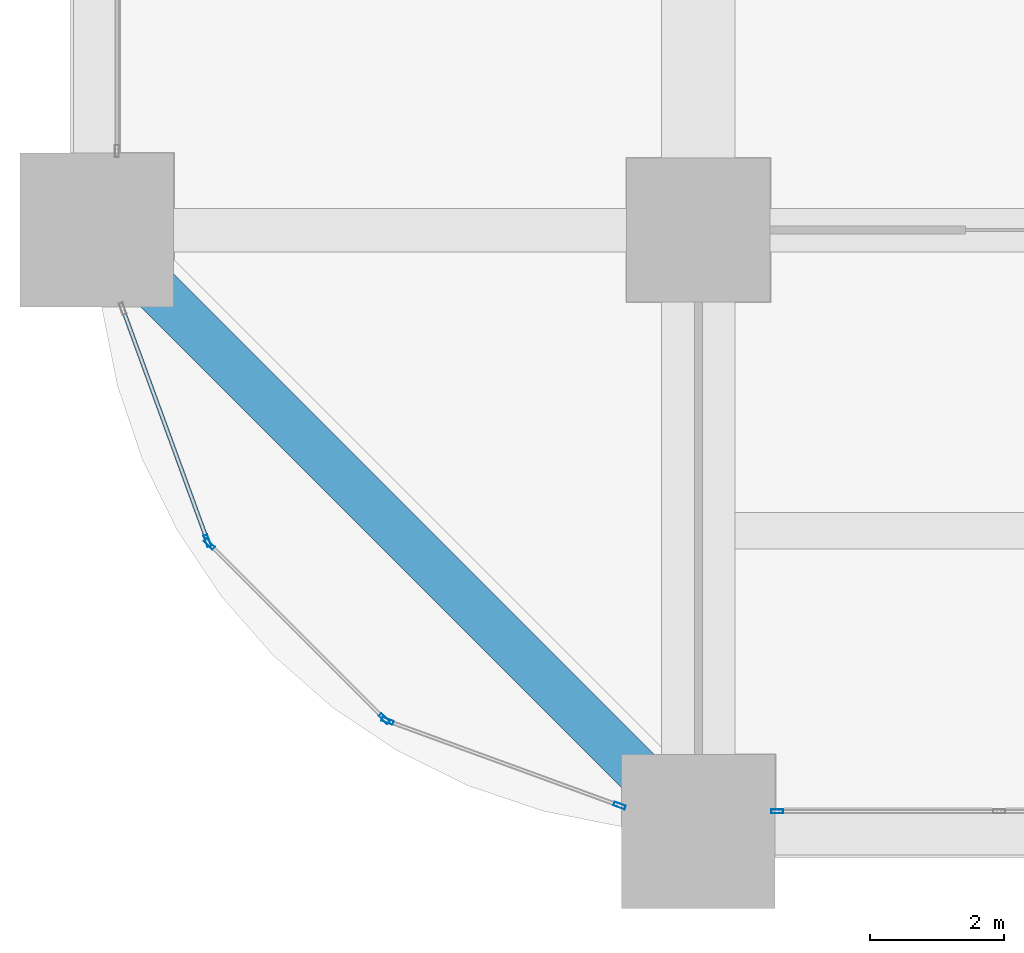
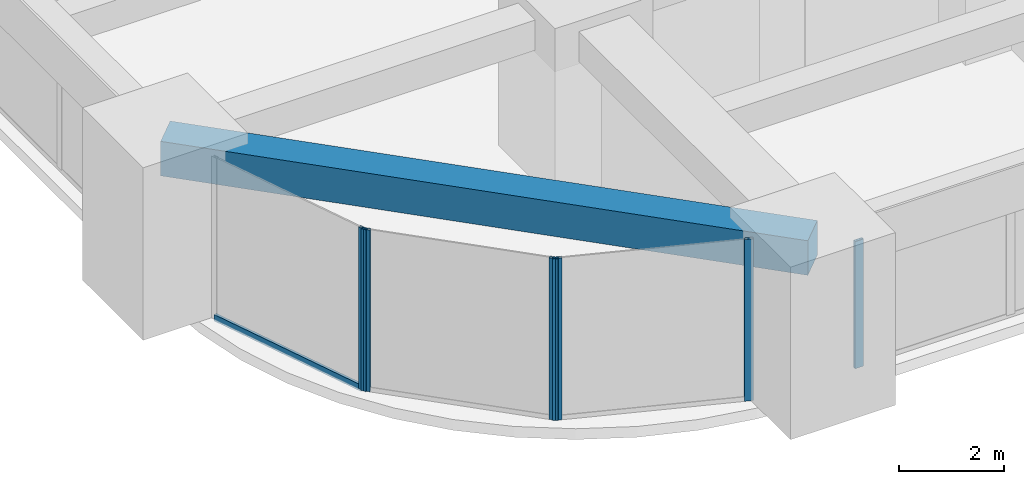
# One storey, part 2 of 44: 7 members, 1 beam, 4 elements without a shape of their own.
"""IFC4 building model written with IfcOpenShell, lengths in metres."""

from ifc_helpers import new_model, si_unit, direction, frame, origin, origin_2d, place, context, subcontext, project, spatial, rectangle, hollow_rectangle, extrude, material, material_profile, profile_set, type_object, element, aggregate, save


model = new_model("IFC4")

# Units and contexts
model_context = context("Model", 3, precision=1e-05, world=origin(), true_north=direction((0.0, 1.0)))
body_context = subcontext(model_context, "Body", "Model", "MODEL_VIEW")
ifc_project = project(units=[si_unit("LENGTHUNIT", "METRE"), si_unit("AREAUNIT", "SQUARE_METRE"), si_unit("VOLUMEUNIT", "CUBIC_METRE"), si_unit("PLANEANGLEUNIT", "RADIAN"), si_unit("MASSUNIT", "GRAM", prefix="KILO")], contexts=[model_context])

# Site, building, storey
site_placement = place(None, origin())
site = spatial("IfcSite", under=ifc_project, at=site_placement, CompositionType="ELEMENT")
building_placement = place(site_placement, origin())
building = spatial("IfcBuilding", under=site, at=building_placement, Name="Zorevar Civic Tower", CompositionType="ELEMENT")
storey_placement = place(building_placement, frame((0.0, 0.0, 55.800048828125)))
storey = spatial("IfcBuildingStorey", under=building, at=storey_placement, Name="L13", CompositionType="ELEMENT", Elevation=55.800048828125)

# Curtain wall, member
ifc_material_1 = material(Name="Dark grey solar-control glass in black aluminium frame", Category="aluminium")
curtain_wall_type = type_object("IfcCurtainWallType", Name="Curtain wall CW2 low zone", PredefinedType="NOTDEFINED", material=ifc_material_1)
curtain_wall_1_placement = place(storey_placement, origin())
curtain_wall_1 = element("IfcCurtainWall", 1, at=curtain_wall_1_placement, inside=storey, type_object=curtain_wall_type, Name="CW2 L13", PredefinedType="NOTDEFINED")
ifc_material_2 = material(Name="Aluminium, black anodised", Category="aluminium")
ifc_material_profile_1 = material_profile(ifc_material_2, hollow_rectangle(XDim=0.06005859375, YDim=0.179931640625, WallThickness=0.00390625, at=origin_2d()), Name="AL 180x60x4")
ifc_profile_set_1 = profile_set([ifc_material_profile_1], Name="Aluminium, black anodised")
member_type_1 = type_object("IfcMemberType", Name="CW2 mullion AL 180x60x4", PredefinedType="MULLION", material=ifc_profile_set_1)
member_1_placement = place(storey_placement, frame((10.179931640625, 0.300048828125, 0.0), z_axis=(0.0, 0.0, 1.0), x_axis=(0.0, 1.0, 0.0)))
member_1 = element("IfcMember", 2, at=member_1_placement, type_object=member_type_1, Name="CW2 mullion 1", PredefinedType="MULLION", context=body_context, shape_type="SweptSolid", body=[
    extrude(hollow_rectangle(XDim=0.06005859375, YDim=0.179931640625, WallThickness=0.00390625, at=origin_2d()), origin(), (0.0, 0.0, 1.0), 2.949951171875),
])
aggregate(curtain_wall_1, [member_1])

curtain_wall_2_placement = place(storey_placement, origin())
curtain_wall_2 = element("IfcCurtainWall", 3, at=curtain_wall_2_placement, inside=storey, type_object=curtain_wall_type, Name="CW2 L13", PredefinedType="NOTDEFINED")
member_2_placement = place(storey_placement, frame((1.65478515625, 4.349609375, 0.0), z_axis=(0.0, 0.0, 1.0), x_axis=(0.939313345732, 0.343060400701, 0.0)))
member_2 = element("IfcMember", 4, at=member_2_placement, type_object=member_type_1, Name="CW2 mullion 2", PredefinedType="MULLION", context=body_context, shape_type="SweptSolid", body=[
    extrude(hollow_rectangle(XDim=0.06005859375, YDim=0.179931640625, WallThickness=0.00390625, at=origin_2d()), origin(), (0.0, 0.0, 1.0), 3.75),
])

# Curtain wall, members
curtain_wall_3_placement = place(storey_placement, origin())
curtain_wall_3 = element("IfcCurtainWall", 5, at=curtain_wall_3_placement, inside=storey, type_object=curtain_wall_type, Name="CW2 L13", PredefinedType="NOTDEFINED")
member_3_placement = place(storey_placement, frame((1.686279296875, 4.30029296875, 0.0), z_axis=(0.0, 0.0, 1.0), x_axis=(0.707106781187, 0.707106781187, 0.0)))
member_3 = element("IfcMember", 6, at=member_3_placement, type_object=member_type_1, Name="CW2 mullion 1", PredefinedType="MULLION", context=body_context, shape_type="SweptSolid", body=[
    extrude(hollow_rectangle(XDim=0.06005859375, YDim=0.179931640625, WallThickness=0.00390625, at=origin_2d()), origin(), (0.0, 0.0, 1.0), 3.75),
])
member_4_placement = place(storey_placement, frame((4.30029296875, 1.686279296875, 0.0), z_axis=(0.0, 0.0, 1.0), x_axis=(0.707106781187, 0.707106781187, 0.0)))
member_4 = element("IfcMember", 7, at=member_4_placement, type_object=member_type_1, Name="CW2 mullion 2", PredefinedType="MULLION", context=body_context, shape_type="SweptSolid", body=[
    extrude(hollow_rectangle(XDim=0.06005859375, YDim=0.179931640625, WallThickness=0.00390625, at=origin_2d()), origin(), (0.0, 0.0, 1.0), 3.75),
])
aggregate(curtain_wall_3, [member_3, member_4])

curtain_wall_4_placement = place(storey_placement, origin())
curtain_wall_4 = element("IfcCurtainWall", 8, at=curtain_wall_4_placement, inside=storey, type_object=curtain_wall_type, Name="CW2 L13", PredefinedType="NOTDEFINED")
member_5_placement = place(storey_placement, frame((4.349609375, 1.65478515625, 0.0), z_axis=(0.0, 0.0, 1.0), x_axis=(0.343060400701, 0.939313345732, 0.0)))
member_5 = element("IfcMember", 9, at=member_5_placement, type_object=member_type_1, Name="CW2 mullion 1", PredefinedType="MULLION", context=body_context, shape_type="SweptSolid", body=[
    extrude(hollow_rectangle(XDim=0.06005859375, YDim=0.179931640625, WallThickness=0.00390625, at=origin_2d()), origin(), (0.0, 0.0, 1.0), 3.75),
])
member_6_placement = place(storey_placement, frame((7.82177734375, 0.38671875, 0.0), z_axis=(0.0, 0.0, 1.0), x_axis=(0.343060400701, 0.939313345732, 0.0)))
member_6 = element("IfcMember", 10, at=member_6_placement, type_object=member_type_1, Name="CW2 mullion 2", PredefinedType="MULLION", context=body_context, shape_type="SweptSolid", body=[
    extrude(hollow_rectangle(XDim=0.06005859375, YDim=0.179931640625, WallThickness=0.00390625, at=origin_2d()), origin(), (0.0, 0.0, 1.0), 3.75),
])
aggregate(curtain_wall_4, [member_5, member_6])

# Member
ifc_material_3 = material(Name="Aluminium, black anodised", Category="aluminium")
ifc_material_profile_2 = material_profile(ifc_material_3, hollow_rectangle(XDim=0.06005859375, YDim=0.14990234375, WallThickness=0.00390625, at=origin_2d()), Name="AL 150x60x4")
ifc_profile_set_2 = profile_set([ifc_material_profile_2], Name="Aluminium, black anodised")
member_type_2 = type_object("IfcMemberType", Name="CW2 transom AL 150x60x4", PredefinedType="USERDEFINED", material=ifc_profile_set_2)
member_7_placement = place(storey_placement, frame((0.39697265625, 7.793701171875, 0.030029296875), z_axis=(0.343047162808, -0.939318180432, 0.0), x_axis=(0.939318180432, 0.343047162808, 0.0)))
member_7 = element("IfcMember", 11, at=member_7_placement, type_object=member_type_2, Name="CW2 sill transom", ObjectType="TRANSOM", PredefinedType="USERDEFINED", context=body_context, shape_type="SweptSolid", body=[
    extrude(hollow_rectangle(XDim=0.06005859375, YDim=0.14990234375, WallThickness=0.00390625, at=origin_2d()), origin(), (0.0, 0.0, 1.0), 3.63671875),
])

aggregate(curtain_wall_2, [member_2, member_7])

# Beam
ifc_material_4 = material(Name="Concrete C50/60", Category="concrete")
ifc_material_profile_3 = material_profile(ifc_material_4, rectangle(XDim=0.699951171875, YDim=0.800048828125, at=origin_2d()), Name="RC 700x800")
ifc_profile_set_3 = profile_set([ifc_material_profile_3], Name="Concrete C50/60")
beam_type = type_object("IfcBeamType", Name="Edge beam RC 700x800", PredefinedType="SPANDREL", material=ifc_profile_set_3)
beam_placement = place(storey_placement, frame((0.0, 9.0, 3.349853515625), z_axis=(0.707106781187, -0.707106781187, 0.0), x_axis=(0.707106781187, 0.707106781187, 0.0)))
element("IfcBeam", 12, at=beam_placement, inside=storey, type_object=beam_type, Name="Corner edge beam L14", PredefinedType="SPANDREL", context=body_context, shape_type="SweptSolid", body=[
    extrude(rectangle(XDim=0.699951171875, YDim=0.800048828125, at=origin_2d()), origin(), (0.0, 0.0, 1.0), 12.72802734375),
])

save(model, "model.ifc")
